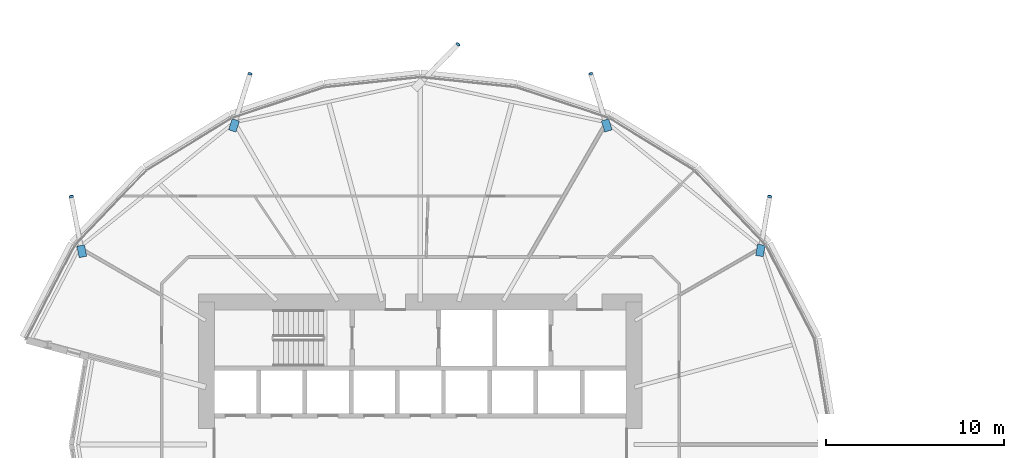
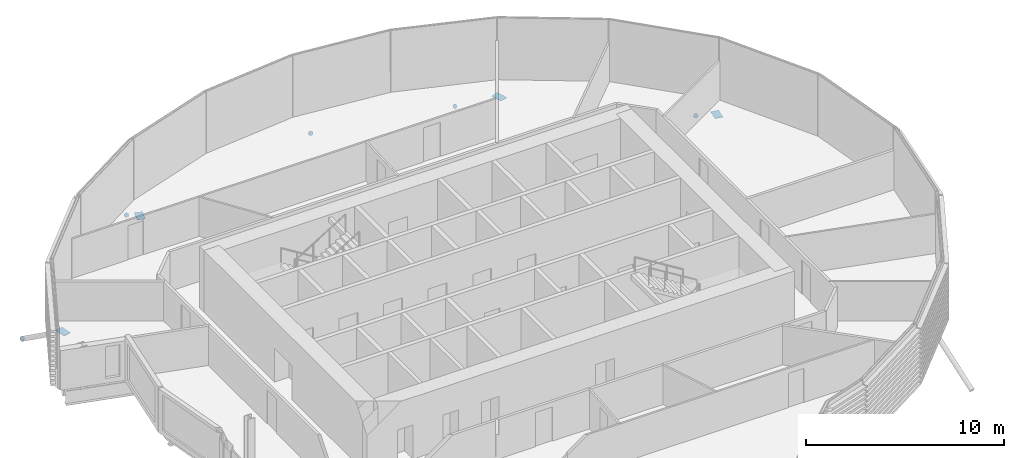
# One storey, part 30 of 37: 9 discrete accessories.
"""IFC4 building model written with IfcOpenShell, lengths in metres."""

from ifc_helpers import new_model, si_unit, direction, frame, origin, origin_2d, place, context, subcontext, project, spatial, polyline, rectangle, circle, outline, extrude, material, material_profile, profile_set, type_object, element, save


model = new_model("IFC4")

# Units and contexts
model_context = context("Model", 3, precision=1e-05, world=origin(), true_north=direction((0.0, 1.0)))
body_context = subcontext(model_context, "Body", "Model", "MODEL_VIEW")
ifc_project = project(units=[si_unit("LENGTHUNIT", "METRE"), si_unit("AREAUNIT", "SQUARE_METRE"), si_unit("VOLUMEUNIT", "CUBIC_METRE"), si_unit("PLANEANGLEUNIT", "RADIAN"), si_unit("MASSUNIT", "GRAM", prefix="KILO")], contexts=[model_context])

# Site, building, storey
site_placement = place(None, origin())
site = spatial("IfcSite", under=ifc_project, at=site_placement, CompositionType="ELEMENT")
building_placement = place(site_placement, origin())
building = spatial("IfcBuilding", under=site, at=building_placement, Name="Rimbun Link Towers", CompositionType="ELEMENT")
storey_placement = place(building_placement, frame((0.0, 0.0, 60.39990234375)))
storey = spatial("IfcBuildingStorey", under=building, at=storey_placement, Name="L14", CompositionType="ELEMENT", Elevation=60.39990234375)

# Discrete accessories
ifc_material_1 = material(Name="Steel S355J2H", Category="steel")
ifc_material_profile_1 = material_profile(ifc_material_1, circle(Radius=0.1240234375, at=origin_2d()), Name="PL D248")
ifc_profile_set_1 = profile_set([ifc_material_profile_1], Name="Steel S355J2H")
discrete_accessory_type_1 = type_object("IfcDiscreteAccessoryType", Name="Link foot sealing plate D248X20", PredefinedType="BRACKET", material=ifc_profile_set_1)
discrete_accessory_1_placement = place(storey_placement, frame((-12.14697265625, 13.91748046875, -2.71923828125), z_axis=(0.133208623303, 0.811361614662, -0.569164117748), x_axis=(-0.986789091699, 0.162010149383, 0.0)))
element("IfcDiscreteAccessory", 1, at=discrete_accessory_1_placement, inside=storey, type_object=discrete_accessory_type_1, Name="Link foot sealing plate T1 L14 02", PredefinedType="BRACKET", context=body_context, shape_type="SweptSolid", body=[
    extrude(circle(Radius=0.1240234375, at=origin_2d()), origin(), (0.0, 0.0, 1.0), 0.020263671875),
])
discrete_accessory_2_placement = place(storey_placement, frame((-22.185302734375, 20.802734375, -2.798095703125), z_axis=(-0.245255735794, 0.79708114133, -0.551825405536), x_axis=(-0.955779008722, -0.294085848838, 0.0)))
element("IfcDiscreteAccessory", 2, at=discrete_accessory_2_placement, inside=storey, type_object=discrete_accessory_type_1, Name="Link foot sealing plate T1 L14 04", PredefinedType="BRACKET", context=body_context, shape_type="SweptSolid", body=[
    extrude(circle(Radius=0.1240234375, at=origin_2d()), origin(), (0.0, 0.0, 1.0), 0.02001953125),
])
discrete_accessory_3_placement = place(storey_placement, frame((-29.641357421875, 22.4560546875, -2.851806640625), z_axis=(0.589012480729, 0.601283574077, -0.539928107335), x_axis=(-0.714358581375, 0.699779834816, 0.0)))
element("IfcDiscreteAccessory", 3, at=discrete_accessory_3_placement, inside=storey, type_object=discrete_accessory_type_1, Name="Link foot sealing plate T1 L14 06", PredefinedType="BRACKET", context=body_context, shape_type="SweptSolid", body=[
    extrude(circle(Radius=0.1240234375, at=origin_2d()), origin(), (0.0, 0.0, 1.0), 0.019775390625),
])
discrete_accessory_4_placement = place(storey_placement, frame((-41.314697265625, 20.802734375, -2.798095703125), z_axis=(0.245255735794, 0.79708114133, -0.551825405536), x_axis=(-0.955779008722, 0.294085848838, 0.0)))
element("IfcDiscreteAccessory", 4, at=discrete_accessory_4_placement, inside=storey, type_object=discrete_accessory_type_1, Name="Link foot sealing plate T1 L14 08", PredefinedType="BRACKET", context=body_context, shape_type="SweptSolid", body=[
    extrude(circle(Radius=0.1240234375, at=origin_2d()), origin(), (0.0, 0.0, 1.0), 0.02001953125),
])
discrete_accessory_5_placement = place(storey_placement, frame((-51.3447265625, 13.9169921875, -2.72265625), z_axis=(-0.160628536436, 0.815498723444, -0.556021856894), x_axis=(-0.981148273046, -0.193256478024, 0.0)))
element("IfcDiscreteAccessory", 5, at=discrete_accessory_5_placement, inside=storey, type_object=discrete_accessory_type_1, Name="Link foot sealing plate T1 L14 10", PredefinedType="BRACKET", context=body_context, shape_type="SweptSolid", body=[
    extrude(circle(Radius=0.1240234375, at=origin_2d()), origin(), (0.0, 0.0, 1.0), 0.019775390625),
])
ifc_material_2 = material(Name="Steel S355J2H", Category="steel")
ifc_material_profile_2 = material_profile(ifc_material_2, rectangle(XDim=0.43310546875, YDim=0.43310546875, at=origin_2d()), Name="PL 433x433")
ifc_profile_set_2 = profile_set([ifc_material_profile_2], Name="Steel S355J2H")
discrete_accessory_type_2 = type_object("IfcDiscreteAccessoryType", Name="Link head end plate 433X20", PredefinedType="BRACKET", material=ifc_profile_set_2)
discrete_accessory_6_placement = place(storey_placement, frame((0.0, 0.0, -0.63330078125)))
element("IfcDiscreteAccessory", 6, at=discrete_accessory_6_placement, inside=storey, type_object=discrete_accessory_type_2, Name="Link head end plate T1 L14 02", PredefinedType="BRACKET", context=body_context, shape_type="SweptSolid", body=[
    extrude(outline(polyline([(-12.507080078125, 10.542236328125), (-12.39794921875, 11.177978515625), (-12.82470703125, 11.25146484375), (-12.933837890625, 10.615478515625), (-12.507080078125, 10.542236328125)])), origin(), (0.0, 0.0, 1.0), 0.02001953125),
])
discrete_accessory_7_placement = place(storey_placement, frame((0.0, 0.0, -0.782470703125)))
element("IfcDiscreteAccessory", 7, at=discrete_accessory_7_placement, inside=storey, type_object=discrete_accessory_type_2, Name="Link head end plate T1 L14 04", PredefinedType="BRACKET", context=body_context, shape_type="SweptSolid", body=[
    extrude(outline(polyline([(-20.986572265625, 17.662841796875), (-21.1796875, 18.286376953125), (-21.59326171875, 18.158203125), (-21.400390625, 17.534912109375), (-20.986572265625, 17.662841796875)])), origin(), (0.0, 0.0, 1.0), 0.02001953125),
])
discrete_accessory_8_placement = place(storey_placement, frame((0.0, 0.0, -0.782470703125)))
element("IfcDiscreteAccessory", 8, at=discrete_accessory_8_placement, inside=storey, type_object=discrete_accessory_type_2, Name="Link head end plate T1 L14 08", PredefinedType="BRACKET", context=body_context, shape_type="SweptSolid", body=[
    extrude(outline(polyline([(-42.099609375, 17.534912109375), (-41.90673828125, 18.158203125), (-42.3203125, 18.286376953125), (-42.513427734375, 17.662841796875), (-42.099609375, 17.534912109375)])), origin(), (0.0, 0.0, 1.0), 0.02001953125),
])
discrete_accessory_9_placement = place(storey_placement, frame((0.0, 0.0, -0.63330078125)))
element("IfcDiscreteAccessory", 9, at=discrete_accessory_9_placement, inside=storey, type_object=discrete_accessory_type_2, Name="Link head end plate T1 L14 10", PredefinedType="BRACKET", context=body_context, shape_type="SweptSolid", body=[
    extrude(outline(polyline([(-50.478515625, 10.5703125), (-50.601806640625, 11.209716796875), (-51.027099609375, 11.127685546875), (-50.903564453125, 10.48828125), (-50.478515625, 10.5703125)])), origin(), (0.0, 0.0, 1.0), 0.02001953125),
])

save(model, "model.ifc")
